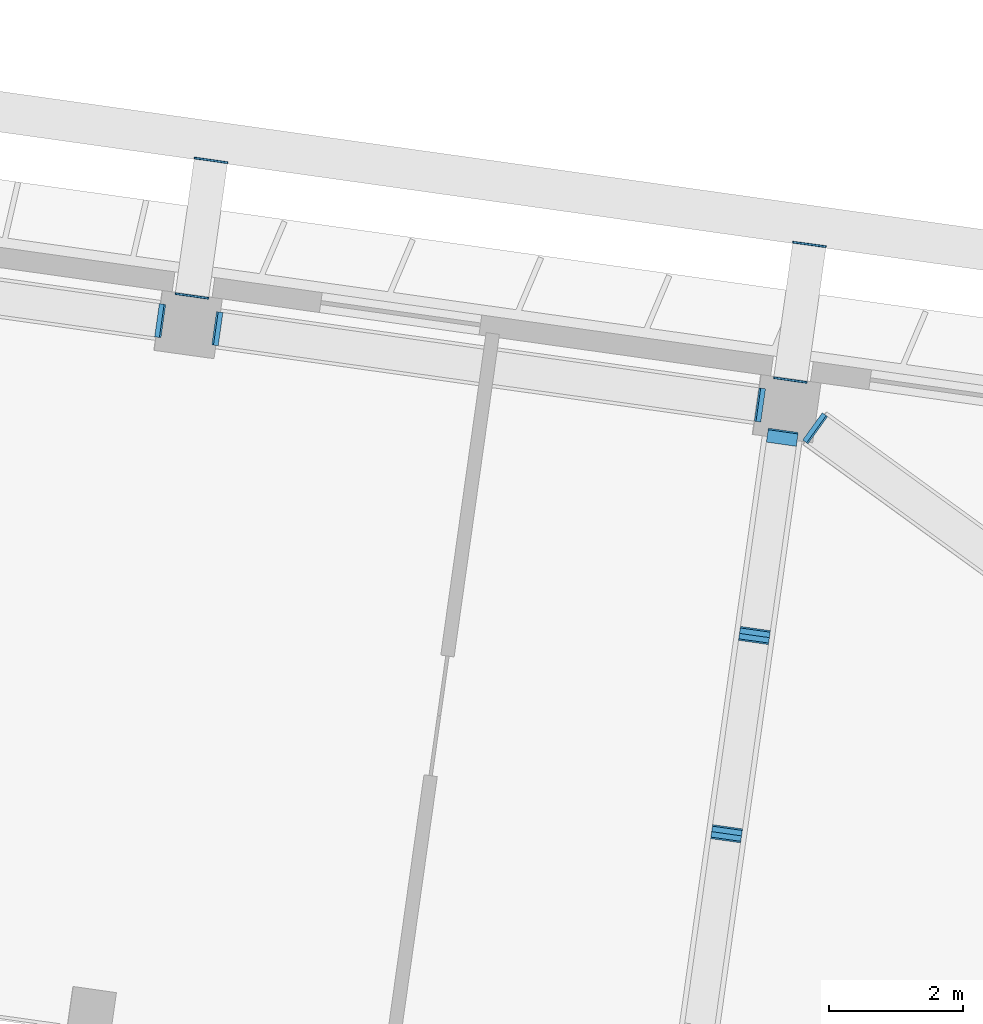
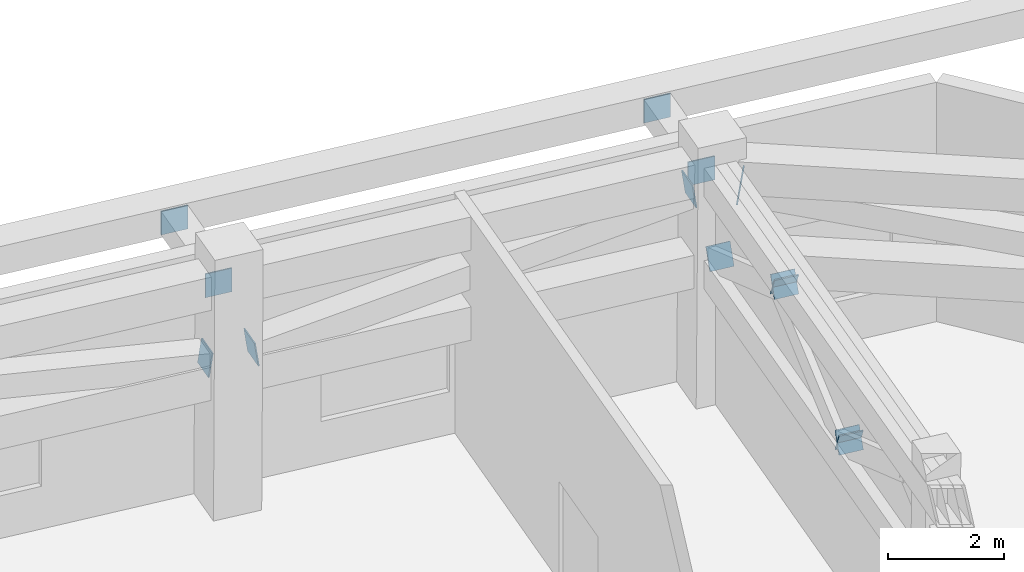
# One storey, part 32 of 41: 13 discrete accessories.
"""IFC4 building model written with IfcOpenShell, lengths in metres."""

from ifc_helpers import new_model, si_unit, direction, frame, origin, origin_2d, place, context, subcontext, project, spatial, rectangle, extrude, material, material_profile, profile_set, type_object, element, save


model = new_model("IFC4")

# Units and contexts
model_context = context("Model", 3, precision=1e-05, world=origin(), true_north=direction((0.0, 1.0)))
body_context = subcontext(model_context, "Body", "Model", "MODEL_VIEW")
ifc_project = project(units=[si_unit("LENGTHUNIT", "METRE"), si_unit("AREAUNIT", "SQUARE_METRE"), si_unit("VOLUMEUNIT", "CUBIC_METRE"), si_unit("PLANEANGLEUNIT", "RADIAN"), si_unit("MASSUNIT", "GRAM", prefix="KILO")], contexts=[model_context])

# Site, building, storey
site_placement = place(None, origin())
site = spatial("IfcSite", under=ifc_project, at=site_placement, CompositionType="ELEMENT")
building_placement = place(site_placement, origin())
building = spatial("IfcBuilding", under=site, at=building_placement, Name="Mirante Cascada Hotel Towers", CompositionType="ELEMENT")
storey_placement = place(building_placement, frame((0.0, 0.0, 151.9)))
storey = spatial("IfcBuildingStorey", under=building, at=storey_placement, Name="L35", CompositionType="ELEMENT", Elevation=151.9)

# Discrete accessories
ifc_material_1 = material(Name="Steel ASTM A572 Gr 50", Category="steel")
ifc_material_profile_1 = material_profile(ifc_material_1, rectangle(XDim=0.45, YDim=0.45, at=origin_2d()), Name="Connection plate 450x450x25 ASTM A572 Gr 50")
ifc_profile_set_1 = profile_set([ifc_material_profile_1], Name="Steel ASTM A572 Gr 50")
discrete_accessory_type_1 = type_object("IfcDiscreteAccessoryType", Name="Connection plate 450x450x25 ASTM A572 Gr 50", PredefinedType="BRACKET", material=ifc_profile_set_1)
for number, where, z_axis, x_axis, name in (
    (1, (-37.2786, 10.9855, 3.1052), (0.1280359, 0.9002521, -0.4161165), (-0.9900373, 0.1408053, 0.0), "Connection plate OR351D"),
    (2, (-37.2786, 10.9855, 3.0948), (0.1280359, 0.9002521, 0.4161165), (-0.9900373, 0.1408053, 0.0), "Connection plate OR351D"),
):
    element("IfcDiscreteAccessory", number, at=place(storey_placement, frame(where, z_axis=z_axis, x_axis=x_axis)), inside=storey, type_object=discrete_accessory_type_1, Name=name, PredefinedType="BRACKET", context=body_context, shape_type="SweptSolid", body=[
        extrude(rectangle(XDim=0.45, YDim=0.45, at=origin_2d()), origin(), (0.0, 0.0, 1.0), 0.025),
    ])
for number, where, z_axis, x_axis, name in (
    (3, (-36.8637, 13.9377, 4.4448), (0.1275761, 0.9010064, 0.4146224), (-0.990124, 0.1401945, 0.0), "Connection plate OR351D"),
    (4, (-36.8637, 13.9377, 4.4552), (0.1275761, 0.9010064, -0.4146224), (-0.990124, 0.1401945, 0.0), "Connection plate OR351D"),
    (5, (-36.4488, 16.8899, 3.1052), (0.1275761, 0.9010064, -0.4146224), (-0.990124, 0.1401945, 0.0), "Connection plate OR351D"),
):
    element("IfcDiscreteAccessory", number, at=place(storey_placement, frame(where, z_axis=z_axis, x_axis=x_axis)), inside=storey, type_object=discrete_accessory_type_1, Name=name, PredefinedType="BRACKET", context=body_context, shape_type="SweptSolid", body=[
        extrude(rectangle(XDim=0.45, YDim=0.45, at=origin_2d()), origin(), (0.0, 0.0, 1.0), 0.0251),
    ])
ifc_material_2 = material(Name="Steel ASTM A572 Gr 50", Category="steel")
ifc_material_profile_2 = material_profile(ifc_material_2, rectangle(XDim=0.5, YDim=0.5, at=origin_2d()), Name="Connection plate 500x500x25 ASTM A572 Gr 50")
ifc_profile_set_2 = profile_set([ifc_material_profile_2], Name="Steel ASTM A572 Gr 50")
discrete_accessory_type_2 = type_object("IfcDiscreteAccessoryType", Name="Connection plate 500x500x25 ASTM A572 Gr 50", PredefinedType="BRACKET", material=ifc_profile_set_2)
for number, where, z_axis, x_axis, name in (
    (6, (-35.9483, 17.0274, 4.3482), (-0.8025759, 0.5789727, 0.1437449), (-0.5850485, -0.8109983, 0.0), "Connection plate BT35D"),
    (7, (-36.7681, 17.3805, 4.3518), (-0.9796396, 0.1399485, -0.143947), (-0.1414214, -0.9899495, 0.0), "Connection plate BT35D"),
    (8, (-44.8481, 18.5161, 3.1518), (-0.9796396, 0.1399485, -0.143947), (-0.1414214, -0.9899495, 0.0), "Connection plate BT35D"),
    (9, (-45.6998, 18.6358, 3.1482), (-0.9796396, 0.1399485, 0.143947), (-0.1414214, -0.9899495, 0.0), "Connection plate BT35D"),
):
    element("IfcDiscreteAccessory", number, at=place(storey_placement, frame(where, z_axis=z_axis, x_axis=x_axis)), inside=storey, type_object=discrete_accessory_type_2, Name=name, PredefinedType="BRACKET", context=body_context, shape_type="SweptSolid", body=[
        extrude(rectangle(XDim=0.5, YDim=0.5, at=origin_2d()), origin(), (0.0, 0.0, 1.0), 0.025),
    ])
discrete_accessory_1_placement = place(storey_placement, frame((-36.3293, 17.7405, 4.35), z_axis=(0.1402989, 0.9901092, 0.0), x_axis=(-0.9901092, 0.1402989, 0.0)))
element("IfcDiscreteAccessory", 10, at=discrete_accessory_1_placement, inside=storey, type_object=discrete_accessory_type_2, Name="Connection plate TIE", PredefinedType="BRACKET", context=body_context, shape_type="SweptSolid", body=[
    extrude(rectangle(XDim=0.5, YDim=0.5, at=origin_2d()), origin(), (0.0, 0.0, 1.0), 0.0249),
])
for number, where, z_axis, x_axis, name in (
    (11, (-36.0453, 19.7606, 4.35), (0.1358263, 0.9907327, 0.0), (-0.9907327, 0.1358263, 0.0), "Connection plate TIE"),
    (12, (-45.2417, 18.993, 4.35), (0.1397442, 0.9901876, 0.0), (-0.9901876, 0.1397442, 0.0), "Connection plate TIE"),
):
    element("IfcDiscreteAccessory", number, at=place(storey_placement, frame(where, z_axis=z_axis, x_axis=x_axis)), inside=storey, type_object=discrete_accessory_type_2, Name=name, PredefinedType="BRACKET", context=body_context, shape_type="SweptSolid", body=[
        extrude(rectangle(XDim=0.5, YDim=0.5, at=origin_2d()), origin(), (0.0, 0.0, 1.0), 0.025),
    ])
discrete_accessory_2_placement = place(storey_placement, frame((-44.9578, 21.0132, 4.35), z_axis=(0.1402989, 0.9901092, 0.0), x_axis=(-0.9901092, 0.1402989, 0.0)))
element("IfcDiscreteAccessory", 13, at=discrete_accessory_2_placement, inside=storey, type_object=discrete_accessory_type_2, Name="Connection plate TIE", PredefinedType="BRACKET", context=body_context, shape_type="SweptSolid", body=[
    extrude(rectangle(XDim=0.5, YDim=0.5, at=origin_2d()), origin(), (0.0, 0.0, 1.0), 0.0249),
])

save(model, "model.ifc")
